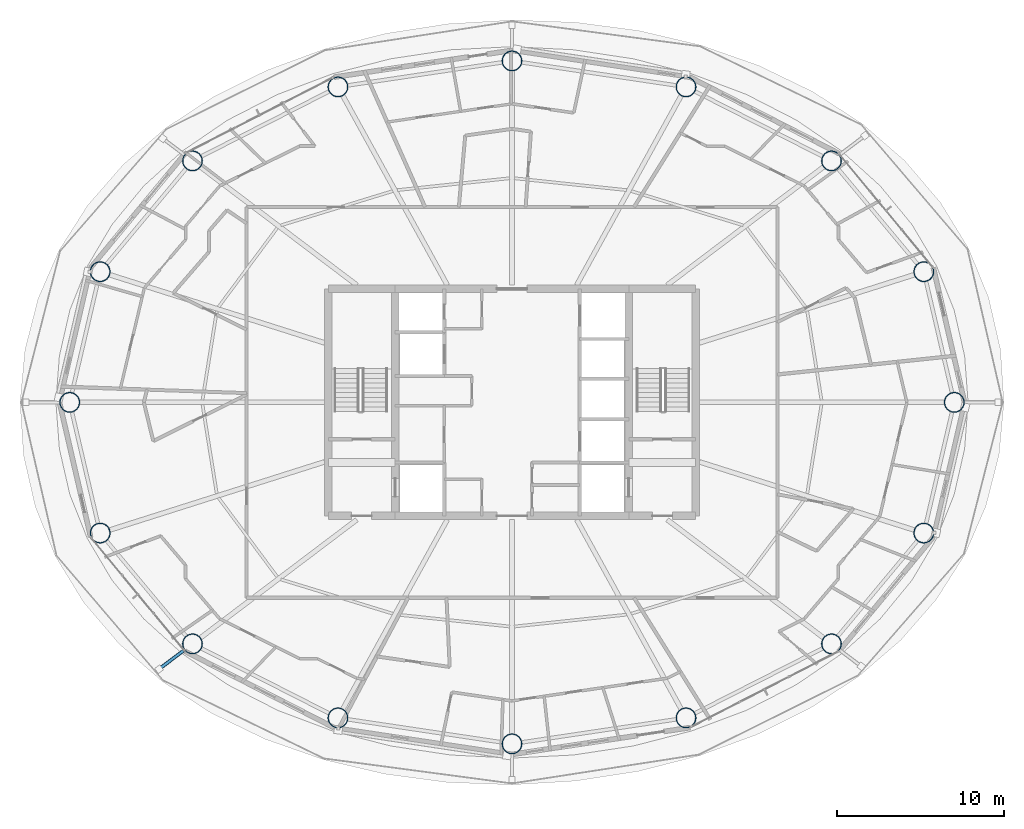
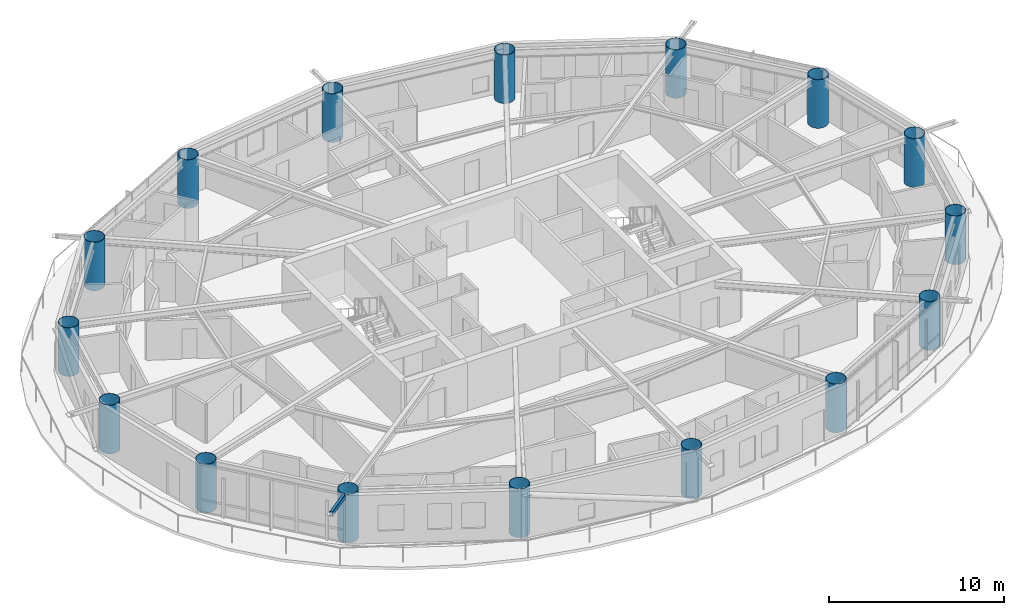
# One storey, part 1 of 27: 16 columns, 1 member.
"""IFC4 building model written with IfcOpenShell, lengths in metres."""

from ifc_helpers import new_model, si_unit, direction, frame, origin, origin_2d, place, context, subcontext, project, spatial, hollow_rectangle, hollow_circle, extrude, material, material_profile, profile_set, type_object, element, save


model = new_model("IFC4")

# Units and contexts
model_context = context("Model", 3, precision=1e-05, world=origin(), true_north=direction((0.0, 1.0)))
body_context = subcontext(model_context, "Body", "Model", "MODEL_VIEW")
ifc_project = project(units=[si_unit("LENGTHUNIT", "METRE"), si_unit("AREAUNIT", "SQUARE_METRE"), si_unit("VOLUMEUNIT", "CUBIC_METRE"), si_unit("PLANEANGLEUNIT", "RADIAN"), si_unit("MASSUNIT", "GRAM", prefix="KILO")], contexts=[model_context])

# Site, building, storey
site_placement = place(None, origin())
site = spatial("IfcSite", under=ifc_project, at=site_placement, CompositionType="ELEMENT")
building_placement = place(site_placement, origin())
building = spatial("IfcBuilding", under=site, at=building_placement, Name="Sarneth Arch Tower", CompositionType="ELEMENT")
storey_placement = place(building_placement, frame((0.0, 0.0, 193.800048828125)))
storey = spatial("IfcBuildingStorey", under=building, at=storey_placement, Name="L49", CompositionType="ELEMENT", Elevation=193.800048828125)

# Columns
ifc_material_1 = material(Name="Steel S355", Category="steel")
ifc_material_profile_1 = material_profile(ifc_material_1, hollow_circle(Radius=0.60009765625, WallThickness=0.031982421875, at=origin_2d()), Name="CHS1200x32")
ifc_profile_set_1 = profile_set([ifc_material_profile_1], Name="Steel S355")
column_type = type_object("IfcColumnType", Name="COL-MEGA-1200", PredefinedType="COLUMN", material=ifc_profile_set_1)
for number, where, z_axis, x_axis, name in (
    (1, (74.487060546875, 42.0, 0.0), (0.0, 0.0, 1.0), (1.0, 0.0, 0.0), "L49 Perimeter mega-column M01"),
    (2, (72.662109375, 49.825927734375, 0.0), (0.0, 0.0, 1.0), (1.0, 0.0, 0.0), "L49 Perimeter mega-column M02"),
    (3, (67.1337890625, 56.46044921875, 0.0), (0.0, 0.0, 1.0), (1.0, 0.0, 0.0), "L49 Perimeter mega-column M03"),
    (4, (58.421875, 60.893310546875, 0.0), (0.0, 0.0, 1.0), (1.0, 0.0, 0.0), "L49 Perimeter mega-column M04"),
    (5, (48.0, 62.449951171875, 0.0), (0.0, 0.0, 1.0), (1.0, 0.0, 0.0), "L49 Perimeter mega-column M05"),
    (6, (37.578125, 60.893310546875, 0.0), (0.0, 0.0, 1.0), (1.0, 0.0, 0.0), "L49 Perimeter mega-column M06"),
    (7, (28.8662109375, 56.46044921875, 0.0), (0.0, 0.0, 1.0), (1.0, 0.0, 0.0), "L49 Perimeter mega-column M07"),
    (8, (23.337890625, 49.825927734375, 0.0), (0.0, 0.0, 1.0), (1.0, 0.0, 0.0), "L49 Perimeter mega-column M08"),
    (9, (21.512939453125, 42.0, 0.0), (0.0, 0.0, 1.0), (1.0, 0.0, 0.0), "L49 Perimeter mega-column M09"),
    (10, (23.337890625, 34.174072265625, 0.0), (0.0, 0.0, 1.0), (1.0, 0.0, 0.0), "L49 Perimeter mega-column M10"),
    (11, (28.8662109375, 27.53955078125, 0.0), (0.0, 0.0, 1.0), (1.0, 0.0, 0.0), "L49 Perimeter mega-column M11"),
    (12, (37.578125, 23.106689453125, 0.0), (0.0, 0.0, 1.0), (1.0, 0.0, 0.0), "L49 Perimeter mega-column M12"),
    (13, (48.0, 21.550048828125, 0.0), (0.0, 0.0, 1.0), (1.0, 0.0, 0.0), "L49 Perimeter mega-column M13"),
    (14, (58.421875, 23.106689453125, 0.0), (0.0, 0.0, 1.0), (1.0, 0.0, 0.0), "L49 Perimeter mega-column M14"),
    (15, (67.1337890625, 27.53955078125, 0.0), (0.0, 0.0, 1.0), (1.0, 0.0, 0.0), "L49 Perimeter mega-column M15"),
    (16, (72.662109375, 34.174072265625, 0.0), (0.0, 0.0, 1.0), (1.0, 0.0, 0.0), "L49 Perimeter mega-column M16"),
):
    element("IfcColumn", number, at=place(storey_placement, frame(where, z_axis=z_axis, x_axis=x_axis)), inside=storey, type_object=column_type, Name=name, PredefinedType="COLUMN", context=body_context, shape_type="SweptSolid", body=[
        extrude(hollow_circle(Radius=0.60009765625, WallThickness=0.031982421875, at=origin_2d()), origin(), (0.0, 0.0, 1.0), 3.3798828125),
    ])

# Member
ifc_material_2 = material(Name="Steel S355", Category="steel")
ifc_material_profile_2 = material_profile(ifc_material_2, hollow_rectangle(XDim=0.199951171875, YDim=0.300048828125, WallThickness=0.012451171875, InnerFilletRadius=0.018798828125, OuterFilletRadius=0.03125, at=origin_2d()), Name="RHS300x200x12.5")
ifc_profile_set_2 = profile_set([ifc_material_profile_2], Name="Steel S355")
member_type = type_object("IfcMemberType", Name="MEM-CANT-STRUT", PredefinedType="STRUT", material=ifc_profile_set_2)
member_placement = place(storey_placement, frame((28.387451171875, 27.177978515625, 3.219970703125), z_axis=(-0.797773161392, -0.602957695832, 0.0), x_axis=(0.602957695832, -0.797773161392, 0.0)))
element("IfcMember", 17, at=member_placement, inside=storey, type_object=member_type, Name="L49 Balcony cantilever bracket 11", PredefinedType="STRUT", context=body_context, shape_type="SweptSolid", body=[
    extrude(hollow_rectangle(XDim=0.199951171875, YDim=0.300048828125, WallThickness=0.012451171875, InnerFilletRadius=0.018798828125, OuterFilletRadius=0.03125, at=origin_2d()), origin(), (0.0, 0.0, 1.0), 1.912353515625),
])

save(model, "model.ifc")
